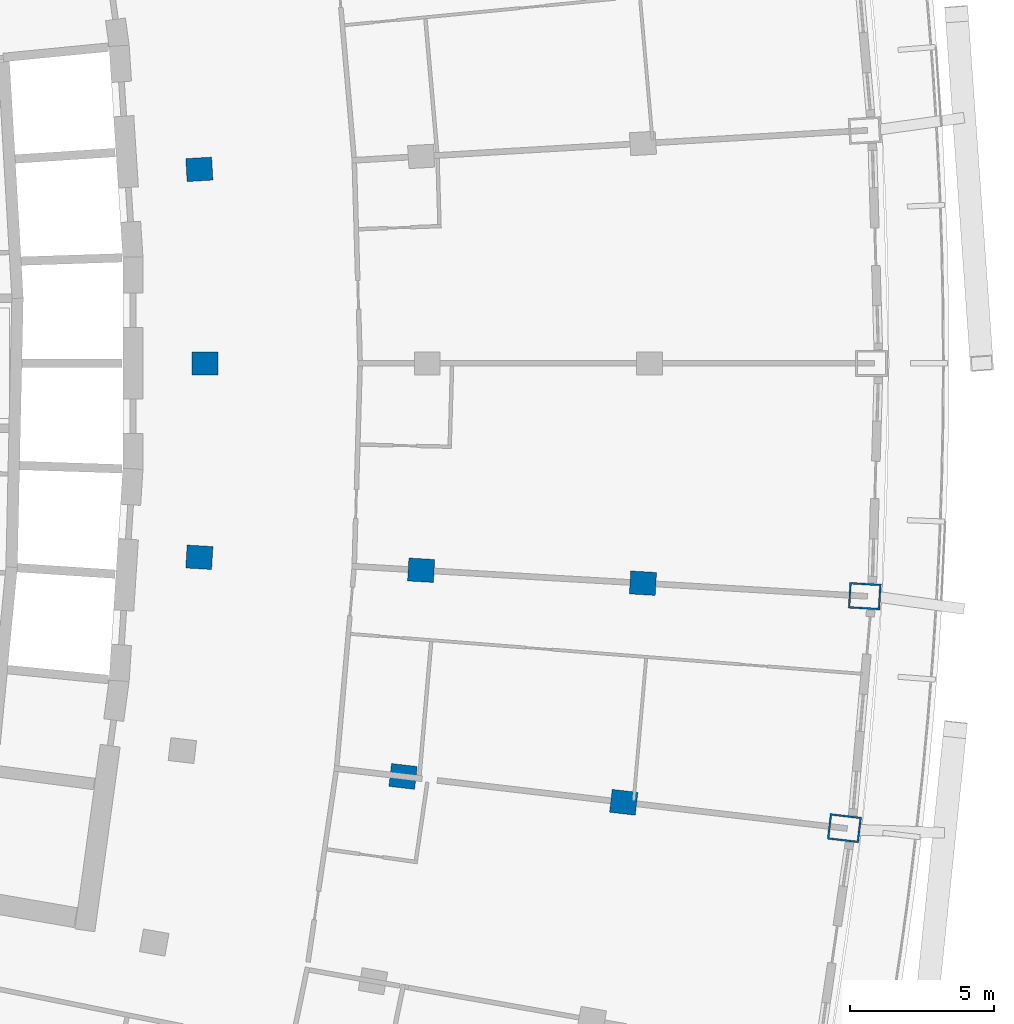
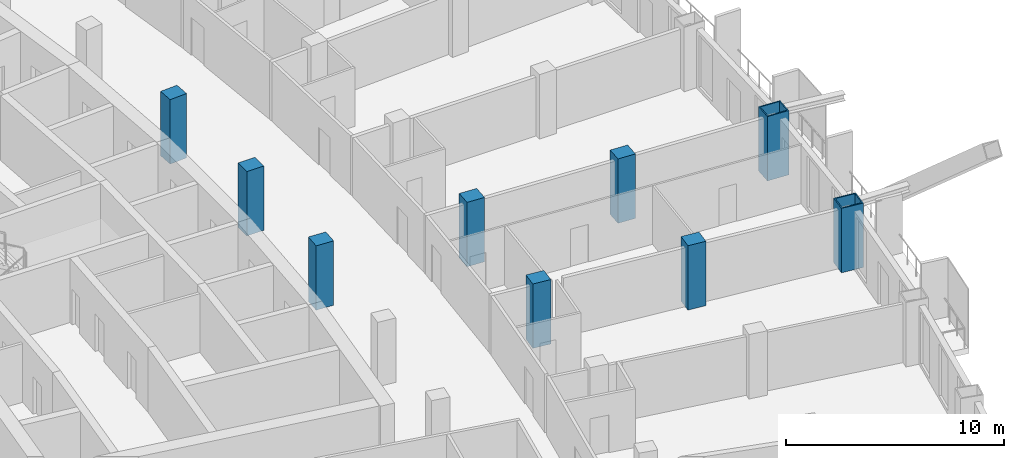
# One storey, part 4 of 19: 9 columns.
"""IFC4 building model written with IfcOpenShell, lengths in metres."""

from ifc_helpers import new_model, si_unit, direction, frame, origin, origin_2d, place, context, subcontext, project, spatial, rectangle, hollow_rectangle, extrude, material, material_profile, profile_set, type_object, element, save


model = new_model("IFC4")

# Units and contexts
model_context = context("Model", 3, precision=1e-05, world=origin(), true_north=direction((0.0, 1.0)))
body_context = subcontext(model_context, "Body", "Model", "MODEL_VIEW")
ifc_project = project(units=[si_unit("LENGTHUNIT", "METRE"), si_unit("AREAUNIT", "SQUARE_METRE"), si_unit("VOLUMEUNIT", "CUBIC_METRE"), si_unit("PLANEANGLEUNIT", "RADIAN"), si_unit("MASSUNIT", "GRAM", prefix="KILO")], contexts=[model_context])

# Site, building, storey
site_placement = place(None, origin())
site = spatial("IfcSite", under=ifc_project, at=site_placement, CompositionType="ELEMENT")
building_placement = place(site_placement, origin())
building = spatial("IfcBuilding", under=site, at=building_placement, Name="Alderwake Tower", CompositionType="ELEMENT")
storey_placement = place(building_placement, frame((0.0, 0.0, 171.199951171875)))
storey = spatial("IfcBuildingStorey", under=building, at=storey_placement, Name="L42", CompositionType="ELEMENT", Elevation=171.199951171875)

# Columns
ifc_material_1 = material(Name="Concrete C70/85", Category="concrete")
ifc_material_profile_1 = material_profile(ifc_material_1, rectangle(XDim=0.800048828125, YDim=0.89990234375, at=origin_2d()), Name="RC 900X800")
ifc_profile_set_1 = profile_set([ifc_material_profile_1], Name="Concrete C70/85")
column_type_1 = type_object("IfcColumnType", Name="Interior column Z3", PredefinedType="COLUMN", material=ifc_profile_set_1)
for number, where, z_axis, x_axis, name in (
    (1, (42.693603515625, 46.62060546875, 0.0), (0.0, 0.0, 1.0), (0.116402054316, 0.993202175668, 0.0), "Column R05-C3"),
    (2, (50.37451171875, 45.72021484375, 0.0), (0.0, 0.0, 1.0), (0.116402054316, 0.993202175668, 0.0), "Column R05-C4"),
    (3, (35.60302734375, 54.248779296875, 0.0), (0.0, 0.0, 1.0), (0.058301061284, 0.998299046505, 0.0), "Column R06-C2"),
    (4, (43.3232421875, 53.798095703125, 0.0), (0.0, 0.0, 1.0), (0.058299318924, 0.998299148258, 0.0), "Column R06-C3"),
    (5, (51.04345703125, 53.34716796875, 0.0), (0.0, 0.0, 1.0), (0.058301061284, 0.998299046505, 0.0), "Column R06-C4"),
    (6, (35.800048828125, 61.0, 0.0), (0.0, 0.0, 1.0), (0.0, 1.0, 0.0), "Column R07-C2"),
    (7, (35.60302734375, 67.751220703125, 0.0), (0.0, 0.0, 1.0), (-0.058301061284, 0.998299046505, 0.0), "Column R08-C2"),
):
    element("IfcColumn", number, at=place(storey_placement, frame(where, z_axis=z_axis, x_axis=x_axis)), inside=storey, type_object=column_type_1, Name=name, PredefinedType="COLUMN", context=body_context, shape_type="SweptSolid", body=[
        extrude(rectangle(XDim=0.800048828125, YDim=0.89990234375, at=origin_2d()), origin(), (0.0, 0.0, 1.0), 3.60009765625),
    ])
ifc_material_2 = material(Name="Steel ASTM A572 Grade 50 concrete filled C70/85", Category="concrete")
ifc_material_profile_2 = material_profile(ifc_material_2, hollow_rectangle(XDim=0.89990234375, YDim=1.10009765625, WallThickness=0.06005859375, at=origin_2d()), Name="BOX 1100X900X60")
ifc_profile_set_2 = profile_set([ifc_material_profile_2], Name="Steel ASTM A572 Grade 50 concrete filled C70/85")
column_type_2 = type_object("IfcColumnType", Name="Perimeter column Z3", PredefinedType="COLUMN", material=ifc_profile_set_2)
for number, where, z_axis, x_axis, name in (
    (8, (58.05517578125, 44.820068359375, 0.0), (0.0, 0.0, 1.0), (0.116402054316, 0.993202175668, 0.0), "Column R05-C5"),
    (9, (58.763671875, 52.896240234375, 0.0), (0.0, 0.0, 1.0), (0.058299318924, 0.998299148258, 0.0), "Column R06-C5"),
):
    element("IfcColumn", number, at=place(storey_placement, frame(where, z_axis=z_axis, x_axis=x_axis)), inside=storey, type_object=column_type_2, Name=name, PredefinedType="COLUMN", context=body_context, shape_type="SweptSolid", body=[
        extrude(hollow_rectangle(XDim=0.89990234375, YDim=1.10009765625, WallThickness=0.06005859375, at=origin_2d()), origin(), (0.0, 0.0, 1.0), 3.60009765625),
    ])

save(model, "model.ifc")
